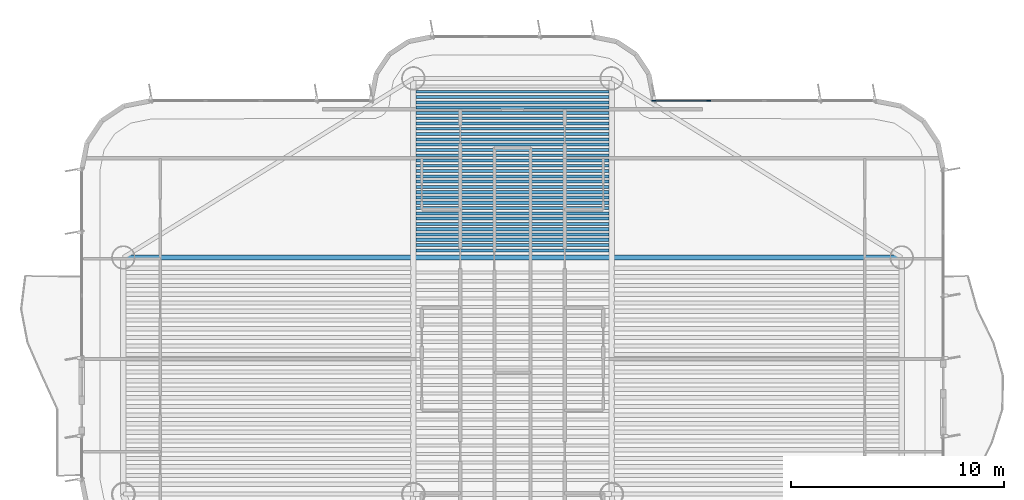
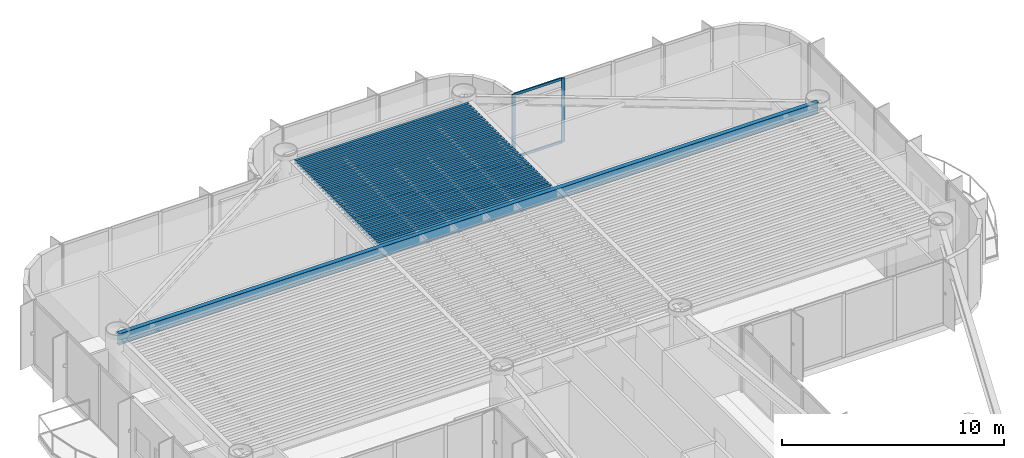
# One storey, part 6 of 15: 32 beams, 4 members, 1 element without a shape of its own.
"""IFC4 building model written with IfcOpenShell, lengths in metres."""

from ifc_helpers import new_model, si_unit, direction, frame, origin, origin_2d, place, context, subcontext, project, spatial, rectangle, i_section, extrude, source, transform, mapped, material, layer, layer_set, material_profile, profile_set, type_object, element, aggregate, save


model = new_model("IFC4")

# Units and contexts
model_context = context("Model", 3, precision=1e-05, world=origin(), true_north=direction((0.0, 1.0)))
body_context = subcontext(model_context, "Body", "Model", "MODEL_VIEW")
ifc_project = project(units=[si_unit("LENGTHUNIT", "METRE"), si_unit("AREAUNIT", "SQUARE_METRE"), si_unit("VOLUMEUNIT", "CUBIC_METRE"), si_unit("PLANEANGLEUNIT", "RADIAN"), si_unit("MASSUNIT", "GRAM", prefix="KILO")], contexts=[model_context])

# Site, building, storey
site_placement = place(None, origin())
site = spatial("IfcSite", under=ifc_project, at=site_placement, CompositionType="ELEMENT")
building_placement = place(site_placement, origin())
building = spatial("IfcBuilding", under=site, at=building_placement, Name="Brelvock Crest Care Tower", CompositionType="ELEMENT")
storey_placement = place(building_placement, frame((0.0, 0.0, 156.419921875)))
storey = spatial("IfcBuildingStorey", under=building, at=storey_placement, Name="L39", CompositionType="ELEMENT", Elevation=156.419921875)

# Beams
ifc_material_1 = material(Name="Steel Grade 350", Category="steel")
ifc_material_profile_1 = material_profile(ifc_material_1, i_section(OverallWidth=0.14599609375, OverallDepth=0.256103515625, WebThickness=0.00634765625, FlangeThickness=0.010986328125, FilletRadius=0.0087890625, at=origin_2d()), Name="250UB37.3")
ifc_profile_set_1 = profile_set([ifc_material_profile_1], Name="Steel Grade 350")
beam_type_1 = type_object("IfcBeamType", Name="BM-J3", PredefinedType="JOIST", material=ifc_profile_set_1)
shared_shape_1 = source(origin(), body_context, "Body", "SweptSolid", [
    extrude(i_section(OverallWidth=0.14599609375, OverallDepth=0.256103515625, WebThickness=0.00634765625, FlangeThickness=0.010986328125, FilletRadius=0.0087890625, at=origin_2d()), origin(), (0.0, 0.0, 1.0), 9.06982421875),
])
for number, where, z_axis, x_axis, name in (
    (1, (31.465087890625, 46.385986328125, 3.402099609375), (1.0, 0.0, 0.0), (0.0, 1.0, 0.0), "BM-JN-L39-1"),
    (2, (31.465087890625, 46.6337890625, 3.402099609375), (1.0, 0.0, 0.0), (0.0, 1.0, 0.0), "BM-JN-L39-2"),
    (3, (31.465087890625, 46.881591796875, 3.402099609375), (1.0, 0.0, 0.0), (0.0, 1.0, 0.0), "BM-JN-L39-3"),
    (4, (31.465087890625, 47.12939453125, 3.402099609375), (1.0, 0.0, 0.0), (0.0, 1.0, 0.0), "BM-JN-L39-4"),
    (5, (31.465087890625, 47.377197265625, 3.402099609375), (1.0, 0.0, 0.0), (0.0, 1.0, 0.0), "BM-JN-L39-5"),
    (6, (31.465087890625, 47.625, 3.402099609375), (1.0, 0.0, 0.0), (0.0, 1.0, 0.0), "BM-JN-L39-6"),
    (7, (31.465087890625, 47.872802734375, 3.402099609375), (1.0, 0.0, 0.0), (0.0, 1.0, 0.0), "BM-JN-L39-7"),
    (8, (31.465087890625, 48.12060546875, 3.402099609375), (1.0, 0.0, 0.0), (0.0, 1.0, 0.0), "BM-JN-L39-8"),
    (9, (31.465087890625, 48.368408203125, 3.402099609375), (1.0, 0.0, 0.0), (0.0, 1.0, 0.0), "BM-JN-L39-9"),
    (10, (31.465087890625, 48.6162109375, 3.402099609375), (1.0, 0.0, 0.0), (0.0, 1.0, 0.0), "BM-JN-L39-10"),
    (11, (31.465087890625, 48.864013671875, 3.402099609375), (1.0, 0.0, 0.0), (0.0, 1.0, 0.0), "BM-JN-L39-11"),
    (12, (31.465087890625, 49.11181640625, 3.402099609375), (1.0, 0.0, 0.0), (0.0, 1.0, 0.0), "BM-JN-L39-12"),
    (13, (31.465087890625, 49.359619140625, 3.402099609375), (1.0, 0.0, 0.0), (0.0, 1.0, 0.0), "BM-JN-L39-13"),
):
    element("IfcBeam", number, at=place(storey_placement, frame(where, z_axis=z_axis, x_axis=x_axis)), inside=storey, type_object=beam_type_1, Name=name, PredefinedType="JOIST", context=body_context, shape_type="MappedRepresentation", body=[
        mapped(shared_shape_1, transform((0.0, 0.0, 0.0), x_axis=(1.0, 0.0, 0.0), y_axis=(0.0, 1.0, 0.0), z_axis=(0.0, 0.0, 1.0), scale=1.0)),
    ])
ifc_material_profile_2 = material_profile(ifc_material_1, i_section(OverallWidth=0.134033203125, OverallDepth=0.20703125, WebThickness=0.00634765625, FlangeThickness=0.009521484375, FilletRadius=0.0087890625, at=origin_2d()), Name="200UB29.8")
ifc_profile_set_2 = profile_set([ifc_material_profile_2], Name="Steel Grade 350")
beam_type_2 = type_object("IfcBeamType", Name="BM-J4", PredefinedType="JOIST", material=ifc_profile_set_2)
shared_shape_2 = source(origin(), body_context, "Body", "SweptSolid", [
    extrude(i_section(OverallWidth=0.134033203125, OverallDepth=0.20703125, WebThickness=0.00634765625, FlangeThickness=0.009521484375, FilletRadius=0.0087890625, at=origin_2d()), origin(), (0.0, 0.0, 1.0), 9.06982421875),
])
for number, where, z_axis, x_axis, name in (
    (14, (31.465087890625, 49.607421875, 3.426513671875), (1.0, 0.0, 0.0), (0.0, 1.0, 0.0), "BM-JN-L39-14"),
    (15, (31.465087890625, 49.855224609375, 3.426513671875), (1.0, 0.0, 0.0), (0.0, 1.0, 0.0), "BM-JN-L39-15"),
    (16, (31.465087890625, 50.10302734375, 3.426513671875), (1.0, 0.0, 0.0), (0.0, 1.0, 0.0), "BM-JN-L39-16"),
    (17, (31.465087890625, 50.350830078125, 3.426513671875), (1.0, 0.0, 0.0), (0.0, 1.0, 0.0), "BM-JN-L39-17"),
    (18, (31.465087890625, 50.5986328125, 3.426513671875), (1.0, 0.0, 0.0), (0.0, 1.0, 0.0), "BM-JN-L39-18"),
    (19, (31.465087890625, 50.846435546875, 3.426513671875), (1.0, 0.0, 0.0), (0.0, 1.0, 0.0), "BM-JN-L39-19"),
    (20, (31.465087890625, 51.09423828125, 3.426513671875), (1.0, 0.0, 0.0), (0.0, 1.0, 0.0), "BM-JN-L39-20"),
    (21, (31.465087890625, 51.342041015625, 3.426513671875), (1.0, 0.0, 0.0), (0.0, 1.0, 0.0), "BM-JN-L39-21"),
    (22, (31.465087890625, 51.58984375, 3.426513671875), (1.0, 0.0, 0.0), (0.0, 1.0, 0.0), "BM-JN-L39-22"),
    (23, (31.465087890625, 51.837646484375, 3.426513671875), (1.0, 0.0, 0.0), (0.0, 1.0, 0.0), "BM-JN-L39-23"),
    (24, (31.465087890625, 52.08544921875, 3.426513671875), (1.0, 0.0, 0.0), (0.0, 1.0, 0.0), "BM-JN-L39-24"),
    (25, (31.465087890625, 52.333251953125, 3.426513671875), (1.0, 0.0, 0.0), (0.0, 1.0, 0.0), "BM-JN-L39-25"),
    (26, (31.465087890625, 52.5810546875, 3.426513671875), (1.0, 0.0, 0.0), (0.0, 1.0, 0.0), "BM-JN-L39-26"),
    (27, (31.465087890625, 52.828857421875, 3.426513671875), (1.0, 0.0, 0.0), (0.0, 1.0, 0.0), "BM-JN-L39-27"),
    (28, (31.465087890625, 53.07666015625, 3.426513671875), (1.0, 0.0, 0.0), (0.0, 1.0, 0.0), "BM-JN-L39-28"),
    (29, (31.465087890625, 53.324462890625, 3.426513671875), (1.0, 0.0, 0.0), (0.0, 1.0, 0.0), "BM-JN-L39-29"),
    (30, (31.465087890625, 53.572265625, 3.426513671875), (1.0, 0.0, 0.0), (0.0, 1.0, 0.0), "BM-JN-L39-30"),
    (31, (31.465087890625, 53.820068359375, 3.426513671875), (1.0, 0.0, 0.0), (0.0, 1.0, 0.0), "BM-JN-L39-31"),
):
    element("IfcBeam", number, at=place(storey_placement, frame(where, z_axis=z_axis, x_axis=x_axis)), inside=storey, type_object=beam_type_2, Name=name, PredefinedType="JOIST", context=body_context, shape_type="MappedRepresentation", body=[
        mapped(shared_shape_2, transform((0.0, 0.0, 0.0), x_axis=(1.0, 0.0, 0.0), y_axis=(0.0, 1.0, 0.0), z_axis=(0.0, 0.0, 1.0), scale=1.0)),
    ])
ifc_material_profile_3 = material_profile(ifc_material_1, i_section(OverallWidth=0.22900390625, OverallDepth=0.612060546875, WebThickness=0.011962890625, FlangeThickness=0.01953125, FilletRadius=0.013916015625, at=origin_2d()), Name="610UB125")
ifc_profile_set_3 = profile_set([ifc_material_profile_3], Name="Steel Grade 350")
beam_type_3 = type_object("IfcBeamType", Name="BM-G1", PredefinedType="BEAM", material=ifc_profile_set_3)
shared_shape_3 = source(origin(), body_context, "Body", "SweptSolid", [
    extrude(i_section(OverallWidth=0.22900390625, OverallDepth=0.612060546875, WebThickness=0.011962890625, FlangeThickness=0.01953125, FilletRadius=0.013916015625, at=origin_2d()), origin(), (0.0, 0.0, 1.0), 36.5),
])
beam_placement = place(storey_placement, frame((17.75, 46.050048828125, 3.22412109375), z_axis=(1.0, 0.0, 0.0), x_axis=(0.0, 1.0, 0.0)))
element("IfcBeam", 32, at=beam_placement, inside=storey, type_object=beam_type_3, Name="BM-TWR-L39-11", PredefinedType="BEAM", context=body_context, shape_type="MappedRepresentation", body=[
    mapped(shared_shape_3, transform((0.0, 0.0, 0.0), x_axis=(1.0, 0.0, 0.0), y_axis=(0.0, 1.0, 0.0), z_axis=(0.0, 0.0, 1.0), scale=1.0)),
])

# Curtain wall, members
ifc_material_2 = material(Name="Dark Glass Double Glazed Low-E", Category="glass")
ifc_layer = layer(ifc_material_2, 0.22509765625, Name="CWS-4")
ifc_layer_set = layer_set([ifc_layer], Name="Dark Glass Double Glazed Low-E")
curtain_wall_type = type_object("IfcCurtainWallType", Name="CWS-4", PredefinedType="NOTDEFINED", material=ifc_layer_set)
curtain_wall_placement = place(storey_placement, origin())
curtain_wall = element("IfcCurtainWall", 33, at=curtain_wall_placement, inside=storey, type_object=curtain_wall_type, Name="L39 Curtain Wall E34", PredefinedType="NOTDEFINED")
ifc_material_3 = material(Name="Aluminium 6063-T6", Category="aluminium")
ifc_material_profile_4 = material_profile(ifc_material_3, rectangle(XDim=0.06005859375, YDim=0.179931640625, at=origin_2d()), Name="ALU60x180")
ifc_profile_set_4 = profile_set([ifc_material_profile_4], Name="Aluminium 6063-T6")
member_type_1 = type_object("IfcMemberType", Name="CWM-2", PredefinedType="MULLION", material=ifc_profile_set_4)
shared_shape_4 = source(origin(), body_context, "Body", "SweptSolid", [
    extrude(rectangle(XDim=0.06005859375, YDim=0.179931640625, at=origin_2d()), origin(), (0.0, 0.0, 1.0), 3.530029296875),
])
member_1_placement = place(storey_placement, frame((42.6298828125, 53.39990234375, 0.0), z_axis=(0.0, 0.0, 1.0), x_axis=(0.0, 1.0, 0.0)))
member_1 = element("IfcMember", 34, at=member_1_placement, type_object=member_type_1, Name="CW-4 mullion 1", PredefinedType="MULLION", context=body_context, shape_type="MappedRepresentation", body=[
    mapped(shared_shape_4, transform((0.0, 0.0, 0.0), x_axis=(1.0, 0.0, 0.0), y_axis=(0.0, 1.0, 0.0), z_axis=(0.0, 0.0, 1.0), scale=1.0)),
])
member_2_placement = place(storey_placement, frame((45.199951171875, 53.39990234375, 0.0), z_axis=(0.0, 0.0, 1.0), x_axis=(0.0, 1.0, 0.0)))
member_2 = element("IfcMember", 35, at=member_2_placement, type_object=member_type_1, Name="CW-4 mullion 2", PredefinedType="MULLION", context=body_context, shape_type="MappedRepresentation", body=[
    mapped(shared_shape_4, transform((0.0, 0.0, 0.0), x_axis=(1.0, 0.0, 0.0), y_axis=(0.0, 1.0, 0.0), z_axis=(0.0, 0.0, 1.0), scale=1.0)),
])
ifc_material_profile_5 = material_profile(ifc_material_3, rectangle(XDim=0.06005859375, YDim=0.139892578125, at=origin_2d()), Name="ALU60x140")
ifc_profile_set_5 = profile_set([ifc_material_profile_5], Name="Aluminium 6063-T6")
member_type_2 = type_object("IfcMemberType", Name="CWT-2", PredefinedType="USERDEFINED", material=ifc_profile_set_5)
shared_shape_5 = source(origin(), body_context, "Body", "SweptSolid", [
    extrude(rectangle(XDim=0.06005859375, YDim=0.139892578125, at=origin_2d()), origin(), (0.0, 0.0, 1.0), 2.510009765625),
])
member_3_placement = place(storey_placement, frame((42.659912109375, 53.39990234375, 0.030029296875), z_axis=(1.0, 0.0, 0.0), x_axis=(0.0, 1.0, 0.0)))
member_3 = element("IfcMember", 36, at=member_3_placement, type_object=member_type_2, Name="CW-4 transom 1.1", ObjectType="TRANSOM", PredefinedType="USERDEFINED", context=body_context, shape_type="MappedRepresentation", body=[
    mapped(shared_shape_5, transform((0.0, 0.0, 0.0), x_axis=(1.0, 0.0, 0.0), y_axis=(0.0, 1.0, 0.0), z_axis=(0.0, 0.0, 1.0), scale=1.0)),
])
member_4_placement = place(storey_placement, frame((42.659912109375, 53.39990234375, 3.5), z_axis=(1.0, 0.0, 0.0), x_axis=(0.0, 1.0, 0.0)))
member_4 = element("IfcMember", 37, at=member_4_placement, type_object=member_type_2, Name="CW-4 transom 1.2", ObjectType="TRANSOM", PredefinedType="USERDEFINED", context=body_context, shape_type="MappedRepresentation", body=[
    mapped(shared_shape_5, transform((0.0, 0.0, 0.0), x_axis=(1.0, 0.0, 0.0), y_axis=(0.0, 1.0, 0.0), z_axis=(0.0, 0.0, 1.0), scale=1.0)),
])
aggregate(curtain_wall, [member_1, member_2, member_3, member_4])

save(model, "model.ifc")
